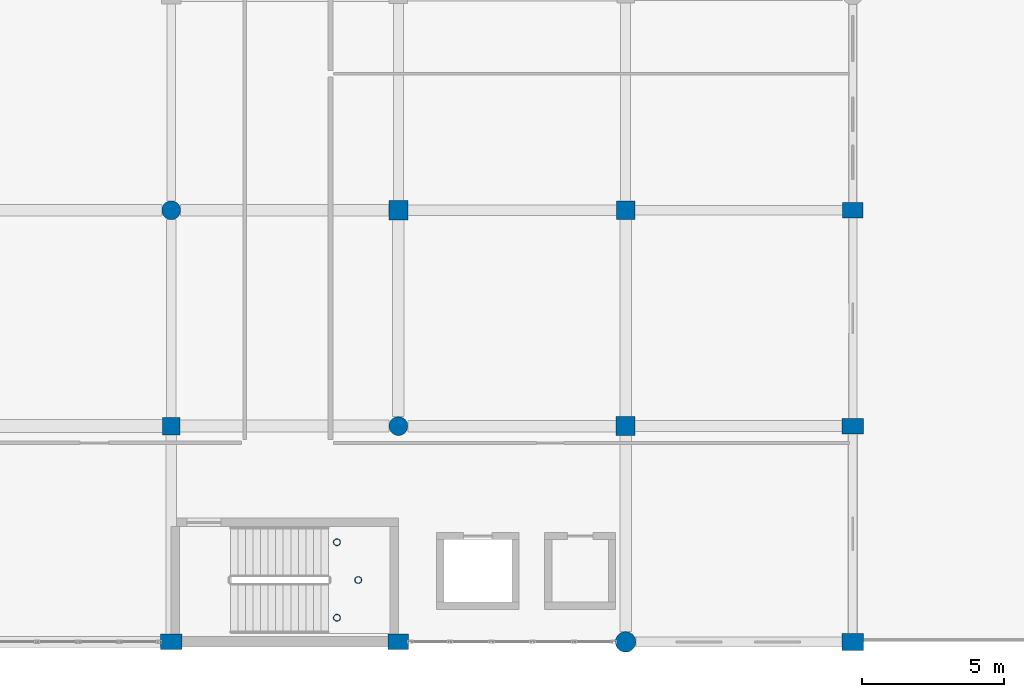
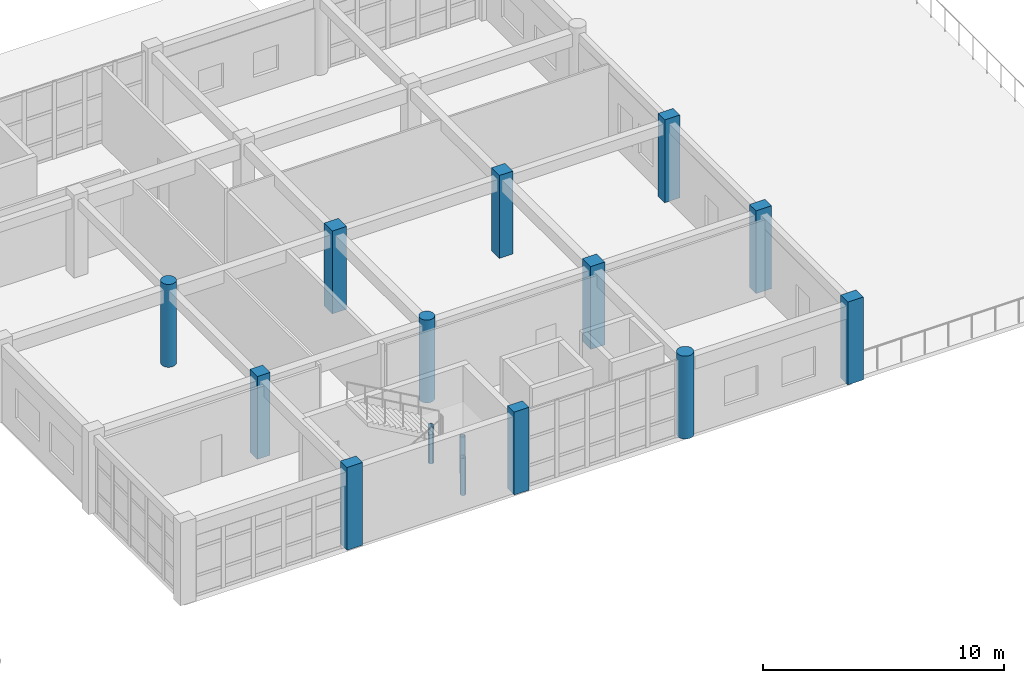
# One storey, part 23 of 195: 15 columns.
"""IFC4 building model written with IfcOpenShell, lengths in metres."""

from ifc_helpers import new_model, si_unit, direction, frame, origin, origin_2d, place, context, subcontext, project, spatial, rectangle, circle, hollow_circle, extrude, material, material_profile, profile_set, type_object, element, save


model = new_model("IFC4")

# Units and contexts
model_context = context("Model", 3, precision=1e-05, world=origin(), true_north=direction((0.0, 1.0)))
body_context = subcontext(model_context, "Body", "Model", "MODEL_VIEW")
ifc_project = project(units=[si_unit("LENGTHUNIT", "METRE"), si_unit("AREAUNIT", "SQUARE_METRE"), si_unit("VOLUMEUNIT", "CUBIC_METRE"), si_unit("PLANEANGLEUNIT", "RADIAN"), si_unit("MASSUNIT", "GRAM", prefix="KILO")], contexts=[model_context])

# Site, building, storey
site_placement = place(None, origin())
site = spatial("IfcSite", under=ifc_project, at=site_placement, CompositionType="ELEMENT")
building_placement = place(site_placement, origin())
building = spatial("IfcBuilding", under=site, at=building_placement, Name="Kharva Crest Polytechnic", CompositionType="ELEMENT")
storey_placement = place(building_placement, frame((0.0, 0.0, 9.0)))
storey = spatial("IfcBuildingStorey", under=building, at=storey_placement, Name="L02", CompositionType="ELEMENT", Elevation=9.0)

# Columns
ifc_material_1 = material(Name="Concrete C40/50", Category="concrete")
ifc_material_profile_1 = material_profile(ifc_material_1, rectangle(XDim=0.719970703125, YDim=0.550048828125, at=origin_2d()), Name="RECT 720 X 550")
ifc_profile_set_1 = profile_set([ifc_material_profile_1], Name="Concrete C40/50")
column_type_1 = type_object("IfcColumnType", Name="COL-EXT-720X550", PredefinedType="COLUMN", material=ifc_profile_set_1)
for number, where, z_axis, x_axis, name in (
    (1, (136.800048828125, 0.0, 0.0), (0.0, 0.0, 1.0), (1.0, 0.0, 0.0), "L02 Column 18/A"),
    (2, (152.800048828125, 15.199951171875, 0.0), (0.0, 0.0, 1.0), (1.0, 0.0, 0.0), "L02 Column 20/C"),
):
    element("IfcColumn", number, at=place(storey_placement, frame(where, z_axis=z_axis, x_axis=x_axis)), inside=storey, type_object=column_type_1, Name=name, PredefinedType="COLUMN", context=body_context, shape_type="SweptSolid", body=[
        extrude(rectangle(XDim=0.719970703125, YDim=0.550048828125, at=origin_2d()), origin(), (0.0, 0.0, 1.0), 4.199951171875),
    ])
ifc_material_profile_2 = material_profile(ifc_material_1, rectangle(XDim=0.75, YDim=0.550048828125, at=origin_2d()), Name="RECT 750 X 550")
ifc_profile_set_2 = profile_set([ifc_material_profile_2], Name="Concrete C40/50")
column_type_2 = type_object("IfcColumnType", Name="COL-EXT-750X550", PredefinedType="COLUMN", material=ifc_profile_set_2)
for number, where, z_axis, x_axis, name in (
    (3, (128.800048828125, 0.0, 0.0), (0.0, 0.0, 1.0), (1.0, 0.0, 0.0), "L02 Column 17/A"),
    (4, (152.800048828125, 7.60009765625, 0.0), (0.0, 0.0, 1.0), (1.0, 0.0, 0.0), "L02 Column 20/B"),
):
    element("IfcColumn", number, at=place(storey_placement, frame(where, z_axis=z_axis, x_axis=x_axis)), inside=storey, type_object=column_type_2, Name=name, PredefinedType="COLUMN", context=body_context, shape_type="SweptSolid", body=[
        extrude(rectangle(XDim=0.75, YDim=0.550048828125, at=origin_2d()), origin(), (0.0, 0.0, 1.0), 4.199951171875),
    ])
ifc_material_profile_3 = material_profile(ifc_material_1, rectangle(XDim=0.75, YDim=0.60009765625, at=origin_2d()), Name="RECT 750 X 600")
ifc_profile_set_3 = profile_set([ifc_material_profile_3], Name="Concrete C40/50")
column_type_3 = type_object("IfcColumnType", Name="COL-EXT-750X600", PredefinedType="COLUMN", material=ifc_profile_set_3)
column_1_placement = place(storey_placement, frame((152.800048828125, 0.0, 0.0), z_axis=(0.0, 0.0, 1.0), x_axis=(1.0, 0.0, 0.0)))
element("IfcColumn", 5, at=column_1_placement, inside=storey, type_object=column_type_3, Name="L02 Column 20/A", PredefinedType="COLUMN", context=body_context, shape_type="SweptSolid", body=[
    extrude(rectangle(XDim=0.75, YDim=0.60009765625, at=origin_2d()), origin(), (0.0, 0.0, 1.0), 4.199951171875),
])
ifc_material_profile_4 = material_profile(ifc_material_1, circle(Radius=0.360107421875, at=origin_2d()), Name="DIA 720")
ifc_profile_set_4 = profile_set([ifc_material_profile_4], Name="Concrete C40/50")
column_type_4 = type_object("IfcColumnType", Name="COL-EXT-DIA720", PredefinedType="COLUMN", material=ifc_profile_set_4)
column_2_placement = place(storey_placement, frame((144.800048828125, 0.0, 0.0), z_axis=(0.0, 0.0, 1.0), x_axis=(1.0, 0.0, 0.0)))
element("IfcColumn", 6, at=column_2_placement, inside=storey, type_object=column_type_4, Name="L02 Column 19/A", PredefinedType="COLUMN", context=body_context, shape_type="SweptSolid", body=[
    extrude(circle(Radius=0.360107421875, at=origin_2d()), origin(), (0.0, 0.0, 1.0), 4.199951171875),
])
ifc_material_profile_5 = material_profile(ifc_material_1, rectangle(XDim=0.6201171875, YDim=0.6201171875, at=origin_2d()), Name="RECT 620 X 620")
ifc_profile_set_5 = profile_set([ifc_material_profile_5], Name="Concrete C40/50")
column_type_5 = type_object("IfcColumnType", Name="COL-INT-620X620", PredefinedType="COLUMN", material=ifc_profile_set_5)
column_3_placement = place(storey_placement, frame((128.800048828125, 7.60009765625, 0.0), z_axis=(0.0, 0.0, 1.0), x_axis=(1.0, 0.0, 0.0)))
element("IfcColumn", 7, at=column_3_placement, inside=storey, type_object=column_type_5, Name="L02 Column 17/B", PredefinedType="COLUMN", context=body_context, shape_type="SweptSolid", body=[
    extrude(rectangle(XDim=0.6201171875, YDim=0.6201171875, at=origin_2d()), origin(), (0.0, 0.0, 1.0), 4.199951171875),
])
ifc_material_profile_6 = material_profile(ifc_material_1, rectangle(XDim=0.64990234375, YDim=0.64990234375, at=origin_2d()), Name="RECT 650 X 650")
ifc_profile_set_6 = profile_set([ifc_material_profile_6], Name="Concrete C40/50")
column_type_6 = type_object("IfcColumnType", Name="COL-INT-650X650", PredefinedType="COLUMN", material=ifc_profile_set_6)
column_4_placement = place(storey_placement, frame((144.800048828125, 15.199951171875, 0.0), z_axis=(0.0, 0.0, 1.0), x_axis=(1.0, 0.0, 0.0)))
element("IfcColumn", 8, at=column_4_placement, inside=storey, type_object=column_type_6, Name="L02 Column 19/C", PredefinedType="COLUMN", context=body_context, shape_type="SweptSolid", body=[
    extrude(rectangle(XDim=0.64990234375, YDim=0.64990234375, at=origin_2d()), origin(), (0.0, 0.0, 1.0), 4.199951171875),
])
ifc_material_profile_7 = material_profile(ifc_material_1, rectangle(XDim=0.679931640625, YDim=0.679931640625, at=origin_2d()), Name="RECT 680 X 680")
ifc_profile_set_7 = profile_set([ifc_material_profile_7], Name="Concrete C40/50")
column_type_7 = type_object("IfcColumnType", Name="COL-INT-680X680", PredefinedType="COLUMN", material=ifc_profile_set_7)
for number, where, z_axis, x_axis, name in (
    (9, (136.800048828125, 15.199951171875, 0.0), (0.0, 0.0, 1.0), (1.0, 0.0, 0.0), "L02 Column 18/C"),
    (10, (144.800048828125, 7.60009765625, 0.0), (0.0, 0.0, 1.0), (1.0, 0.0, 0.0), "L02 Column 19/B"),
):
    element("IfcColumn", number, at=place(storey_placement, frame(where, z_axis=z_axis, x_axis=x_axis)), inside=storey, type_object=column_type_7, Name=name, PredefinedType="COLUMN", context=body_context, shape_type="SweptSolid", body=[
        extrude(rectangle(XDim=0.679931640625, YDim=0.679931640625, at=origin_2d()), origin(), (0.0, 0.0, 1.0), 4.199951171875),
    ])
ifc_material_profile_8 = material_profile(ifc_material_1, circle(Radius=0.330078125, at=origin_2d()), Name="DIA 660")
ifc_profile_set_8 = profile_set([ifc_material_profile_8], Name="Concrete C40/50")
column_type_8 = type_object("IfcColumnType", Name="COL-INT-DIA660", PredefinedType="COLUMN", material=ifc_profile_set_8)
for number, where, z_axis, x_axis, name in (
    (11, (128.800048828125, 15.199951171875, 0.0), (0.0, 0.0, 1.0), (1.0, 0.0, 0.0), "L02 Column 17/C"),
    (12, (136.800048828125, 7.60009765625, 0.0), (0.0, 0.0, 1.0), (1.0, 0.0, 0.0), "L02 Column 18/B"),
):
    element("IfcColumn", number, at=place(storey_placement, frame(where, z_axis=z_axis, x_axis=x_axis)), inside=storey, type_object=column_type_8, Name=name, PredefinedType="COLUMN", context=body_context, shape_type="SweptSolid", body=[
        extrude(circle(Radius=0.330078125, at=origin_2d()), origin(), (0.0, 0.0, 1.0), 4.199951171875),
    ])
ifc_material_2 = material(Name="Steel S355", Category="steel")
ifc_material_profile_9 = material_profile(ifc_material_2, hollow_circle(Radius=0.122314453125, WallThickness=0.010009765625, at=origin_2d()), Name="CHS 244.5X10.0")
ifc_profile_set_9 = profile_set([ifc_material_profile_9], Name="Steel S355")
column_type_9 = type_object("IfcColumnType", Name="COL-STL-CHS244", PredefinedType="COLUMN", material=ifc_profile_set_9)
for number, where, z_axis, x_axis, name in (
    (13, (134.635009765625, 0.85009765625, 0.0), (0.0, 0.0, 1.0), (1.0, 0.0, 0.0), "L02 Stair ST-06 Landing Support Column SW"),
    (14, (134.635009765625, 3.510009765625, 0.0), (0.0, 0.0, 1.0), (1.0, 0.0, 0.0), "L02 Stair ST-06 Landing Support Column NW"),
    (15, (135.385009765625, 2.179931640625, 0.0), (0.0, 0.0, 1.0), (1.0, 0.0, 0.0), "L02 Stair ST-06 Landing Support Column EM"),
):
    element("IfcColumn", number, at=place(storey_placement, frame(where, z_axis=z_axis, x_axis=x_axis)), inside=storey, type_object=column_type_9, Name=name, PredefinedType="COLUMN", context=body_context, shape_type="SweptSolid", body=[
        extrude(hollow_circle(Radius=0.122314453125, WallThickness=0.010009765625, at=origin_2d()), origin(), (0.0, 0.0, 1.0), 1.89990234375),
    ])

save(model, "model.ifc")
